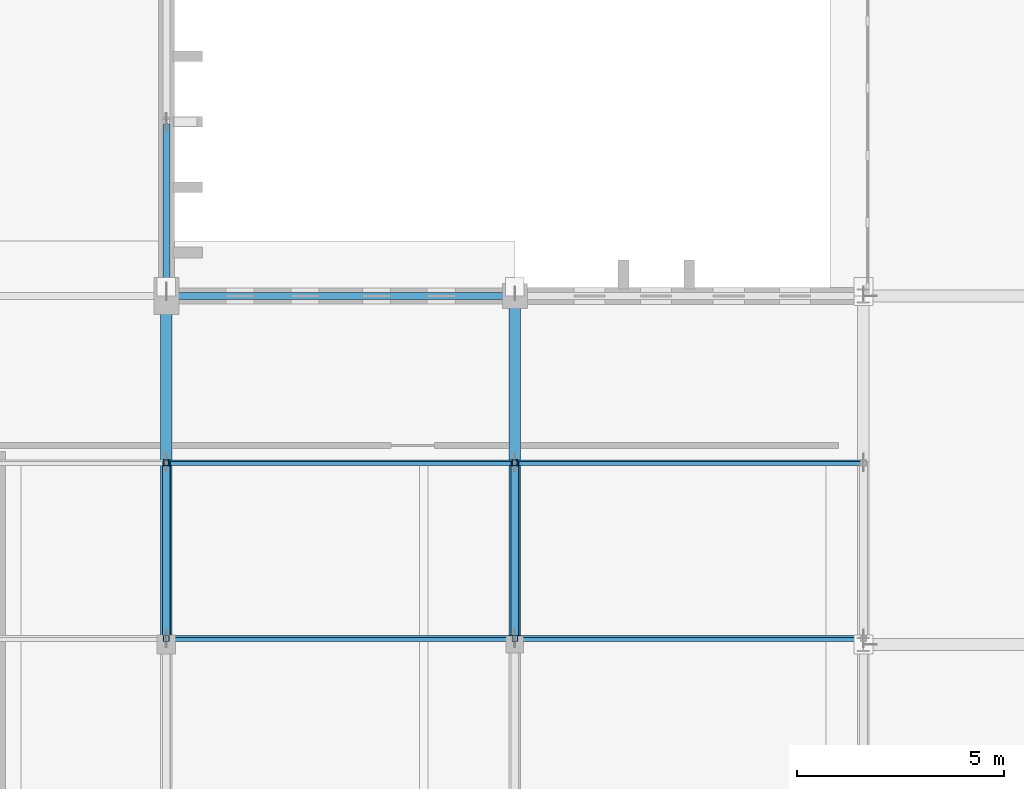
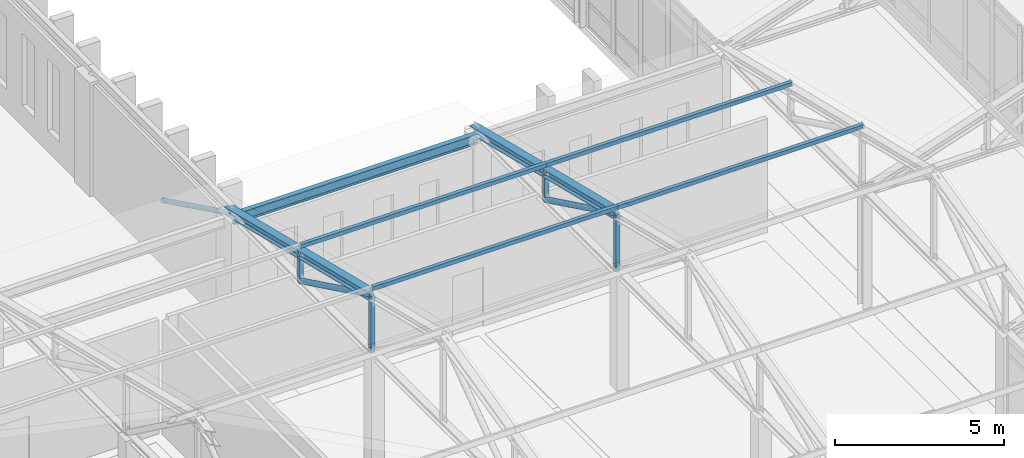
# One storey, part 36 of 192: 15 members, 1 beam.
"""IFC4 building model written with IfcOpenShell, lengths in metres."""

from ifc_helpers import new_model, si_unit, direction, frame, origin, origin_2d, place, context, subcontext, project, spatial, hollow_rectangle, hollow_circle, i_section, extrude, material, material_profile, profile_set, type_object, element, save


model = new_model("IFC4")

# Units and contexts
model_context = context("Model", 3, precision=1e-05, world=origin(), true_north=direction((0.0, 1.0)))
body_context = subcontext(model_context, "Body", "Model", "MODEL_VIEW")
ifc_project = project(units=[si_unit("LENGTHUNIT", "METRE"), si_unit("AREAUNIT", "SQUARE_METRE"), si_unit("VOLUMEUNIT", "CUBIC_METRE"), si_unit("PLANEANGLEUNIT", "RADIAN"), si_unit("MASSUNIT", "GRAM", prefix="KILO")], contexts=[model_context])

# Site, building, storey
site_placement = place(None, origin())
site = spatial("IfcSite", under=ifc_project, at=site_placement, CompositionType="ELEMENT")
building_placement = place(site_placement, origin())
building = spatial("IfcBuilding", under=site, at=building_placement, Name="Kveldsbrygga Polytechnic", CompositionType="ELEMENT")
storey_placement = place(building_placement, frame((0.0, 0.0, 5.43994140625)))
storey = spatial("IfcBuildingStorey", under=building, at=storey_placement, Name="L01", CompositionType="ELEMENT", Elevation=5.43994140625)

# Beam
ifc_material = material(Name="Steel S355", Category="steel")
ifc_material_profile_1 = material_profile(ifc_material, i_section(OverallWidth=0.169921875, OverallDepth=0.360107421875, WebThickness=0.008056640625, FlangeThickness=0.0126953125, FilletRadius=0.01806640625, at=origin_2d()), Name="IPE 360")
ifc_profile_set_1 = profile_set([ifc_material_profile_1], Name="Steel S355")
beam_type = type_object("IfcBeamType", Name="BM-STL-IPE360", PredefinedType="BEAM", material=ifc_profile_set_1)
beam_placement = place(storey_placement, frame((33.60009765625, 25.199951171875, 3.93994140625), z_axis=(1.0, 0.0, 0.0), x_axis=(0.0, 1.0, 0.0)))
element("IfcBeam", 1, at=beam_placement, inside=storey, type_object=beam_type, Name="Pavilion Eaves Beam BMX-V5S-EAV-04", PredefinedType="BEAM", context=body_context, shape_type="SweptSolid", body=[
    extrude(i_section(OverallWidth=0.169921875, OverallDepth=0.360107421875, WebThickness=0.008056640625, FlangeThickness=0.0126953125, FilletRadius=0.01806640625, at=origin_2d()), origin(), (0.0, 0.0, 1.0), 8.39990234375),
])

# Members
ifc_material_profile_2 = material_profile(ifc_material, hollow_circle(Radius=0.084228515625, WallThickness=0.010009765625, at=origin_2d()), Name="CHS 168.3x10.0")
ifc_profile_set_2 = profile_set([ifc_material_profile_2], Name="Steel S355")
member_type_1 = type_object("IfcMemberType", Name="BR-WIND-CHS168", PredefinedType="BRACE", material=ifc_profile_set_2)
member_1_placement = place(storey_placement, frame((33.60009765625, 29.319091796875, 2.099609375), z_axis=(0.0, -0.897806877292, 0.440389385756), x_axis=(1.0, 0.0, 0.0)))
element("IfcMember", 2, at=member_1_placement, inside=storey, type_object=member_type_1, Name="Workshop Portal Split Brace VBR-L01-E-3-B2", PredefinedType="BRACE", context=body_context, shape_type="SweptSolid", body=[
    extrude(hollow_circle(Radius=0.084228515625, WallThickness=0.010009765625, at=origin_2d()), origin(), (0.0, 0.0, 1.0), 4.587890625),
])
ifc_material_profile_3 = material_profile(ifc_material, hollow_rectangle(XDim=0.10009765625, YDim=0.179931640625, WallThickness=0.008056640625, at=origin_2d()), Name="RHS 180x100x8.0")
ifc_profile_set_3 = profile_set([ifc_material_profile_3], Name="Steel S355")
member_type_2 = type_object("IfcMemberType", Name="PRL-RHS180", PredefinedType="PURLIN", material=ifc_profile_set_3)
for number, where, z_axis, x_axis, name in (
    (3, (33.60009765625, 16.94677734375, 6.423583984375), (1.0, 0.0, 0.0), (0.0, 0.971520177509, 0.236956841415), "Roof Purlin V5S-PRL-5-4"),
    (4, (33.60009765625, 21.183349609375, 5.39013671875), (1.0, 0.0, 0.0), (0.0, 0.971520177509, 0.236956841415), "Roof Purlin V5S-PRL-5-5"),
    (5, (42.0, 16.94677734375, 6.423583984375), (1.0, 0.0, 0.0), (0.0, 0.971520177509, 0.236956841415), "Roof Purlin V5S-PRL-6-4"),
    (6, (42.0, 21.183349609375, 5.39013671875), (1.0, 0.0, 0.0), (0.0, 0.971520177509, 0.236956841415), "Roof Purlin V5S-PRL-6-5"),
):
    element("IfcMember", number, at=place(storey_placement, frame(where, z_axis=z_axis, x_axis=x_axis)), inside=storey, type_object=member_type_2, Name=name, PredefinedType="PURLIN", context=body_context, shape_type="SweptSolid", body=[
        extrude(hollow_rectangle(XDim=0.10009765625, YDim=0.179931640625, WallThickness=0.008056640625, at=origin_2d()), origin(), (0.0, 0.0, 1.0), 8.39990234375),
    ])
ifc_material_profile_4 = material_profile(ifc_material, hollow_circle(Radius=0.096923828125, WallThickness=0.010009765625, at=origin_2d()), Name="CHS 193.7x10.0")
ifc_profile_set_4 = profile_set([ifc_material_profile_4], Name="Steel S355")
member_type_3 = type_object("IfcMemberType", Name="TR-DIAG-CHS194", PredefinedType="BRACE", material=ifc_profile_set_4)
for number, where, z_axis, x_axis, name in (
    (7, (33.60009765625, 16.94677734375, 6.186767578125), (0.0, 0.898765956772, -0.438428734171), (-1.0, 0.0, 0.0), "Truss Diagonal V5S-T05-DG-5"),
    (8, (42.0, 16.94677734375, 6.186767578125), (0.0, 0.898765956772, -0.438428734171), (-1.0, 0.0, 0.0), "Truss Diagonal V5S-T06-DG-5"),
):
    element("IfcMember", number, at=place(storey_placement, frame(where, z_axis=z_axis, x_axis=x_axis)), inside=storey, type_object=member_type_3, Name=name, PredefinedType="BRACE", context=body_context, shape_type="SweptSolid", body=[
        extrude(hollow_circle(Radius=0.096923828125, WallThickness=0.010009765625, at=origin_2d()), origin(), (0.0, 0.0, 1.0), 4.7138671875),
    ])
ifc_material_profile_5 = material_profile(ifc_material, hollow_rectangle(XDim=0.139892578125, YDim=0.139892578125, WallThickness=0.008056640625, at=origin_2d()), Name="SHS 140x140x8.0")
ifc_profile_set_5 = profile_set([ifc_material_profile_5], Name="Steel S355")
member_type_4 = type_object("IfcMemberType", Name="TR-POST-SHS140", PredefinedType="STRUT", material=ifc_profile_set_5)
member_2_placement = place(storey_placement, frame((33.60009765625, 16.94677734375, 4.1201171875), z_axis=(0.0, 0.0, 1.0), x_axis=(1.0, 0.0, 0.0)))
element("IfcMember", 9, at=member_2_placement, inside=storey, type_object=member_type_4, Name="Truss Vertical V5S-T05-VT-4", PredefinedType="STRUT", context=body_context, shape_type="SweptSolid", body=[
    extrude(hollow_rectangle(XDim=0.139892578125, YDim=0.139892578125, WallThickness=0.008056640625, at=origin_2d()), origin(), (0.0, 0.0, 1.0), 2.066650390625),
])
member_3_placement = place(storey_placement, frame((33.60009765625, 21.183349609375, 4.1201171875), z_axis=(0.0, 0.0, 1.0), x_axis=(1.0, 0.0, 0.0)))
element("IfcMember", 10, at=member_3_placement, inside=storey, type_object=member_type_4, Name="Truss Vertical V5S-T05-VT-5", PredefinedType="STRUT", context=body_context, shape_type="SweptSolid", body=[
    extrude(hollow_rectangle(XDim=0.139892578125, YDim=0.139892578125, WallThickness=0.008056640625, at=origin_2d()), origin(), (0.0, 0.0, 1.0), 1.033203125),
])
member_4_placement = place(storey_placement, frame((42.0, 16.94677734375, 4.1201171875), z_axis=(0.0, 0.0, 1.0), x_axis=(1.0, 0.0, 0.0)))
element("IfcMember", 11, at=member_4_placement, inside=storey, type_object=member_type_4, Name="Truss Vertical V5S-T06-VT-4", PredefinedType="STRUT", context=body_context, shape_type="SweptSolid", body=[
    extrude(hollow_rectangle(XDim=0.139892578125, YDim=0.139892578125, WallThickness=0.008056640625, at=origin_2d()), origin(), (0.0, 0.0, 1.0), 2.066650390625),
])
member_5_placement = place(storey_placement, frame((42.0, 21.183349609375, 4.1201171875), z_axis=(0.0, 0.0, 1.0), x_axis=(1.0, 0.0, 0.0)))
element("IfcMember", 12, at=member_5_placement, inside=storey, type_object=member_type_4, Name="Truss Vertical V5S-T06-VT-5", PredefinedType="STRUT", context=body_context, shape_type="SweptSolid", body=[
    extrude(hollow_rectangle(XDim=0.139892578125, YDim=0.139892578125, WallThickness=0.008056640625, at=origin_2d()), origin(), (0.0, 0.0, 1.0), 1.033203125),
])
ifc_material_profile_6 = material_profile(ifc_material, i_section(OverallWidth=0.280029296875, OverallDepth=0.280029296875, WebThickness=0.010498046875, FlangeThickness=0.01806640625, FilletRadius=0.02392578125, at=origin_2d()), Name="HEB 280")
ifc_profile_set_6 = profile_set([ifc_material_profile_6], Name="Steel S355")
member_type_5 = type_object("IfcMemberType", Name="TR-TOP-HEB280", PredefinedType="CHORD", material=ifc_profile_set_6)
for number, where, z_axis, x_axis, name in (
    (13, (33.60009765625, 16.94677734375, 6.186767578125), (0.0, 0.971513108336, -0.236985823061), (-1.0, 0.0, 0.0), "Truss Top Chord V5S-T05-TC-5"),
    (14, (33.60009765625, 21.183349609375, 5.1533203125), (0.0, 0.971525996838, -0.236932980961), (-1.0, 0.0, 0.0), "Truss Top Chord V5S-T05-TC-6"),
    (15, (42.0, 16.94677734375, 6.186767578125), (0.0, 0.971513108336, -0.236985823061), (-1.0, 0.0, 0.0), "Truss Top Chord V5S-T06-TC-5"),
    (16, (42.0, 21.183349609375, 5.1533203125), (0.0, 0.971525996838, -0.236932980961), (-1.0, 0.0, 0.0), "Truss Top Chord V5S-T06-TC-6"),
):
    element("IfcMember", number, at=place(storey_placement, frame(where, z_axis=z_axis, x_axis=x_axis)), inside=storey, type_object=member_type_5, Name=name, PredefinedType="CHORD", context=body_context, shape_type="SweptSolid", body=[
        extrude(i_section(OverallWidth=0.280029296875, OverallDepth=0.280029296875, WebThickness=0.010498046875, FlangeThickness=0.01806640625, FilletRadius=0.02392578125, at=origin_2d()), origin(), (0.0, 0.0, 1.0), 4.36083984375),
    ])

save(model, "model.ifc")
